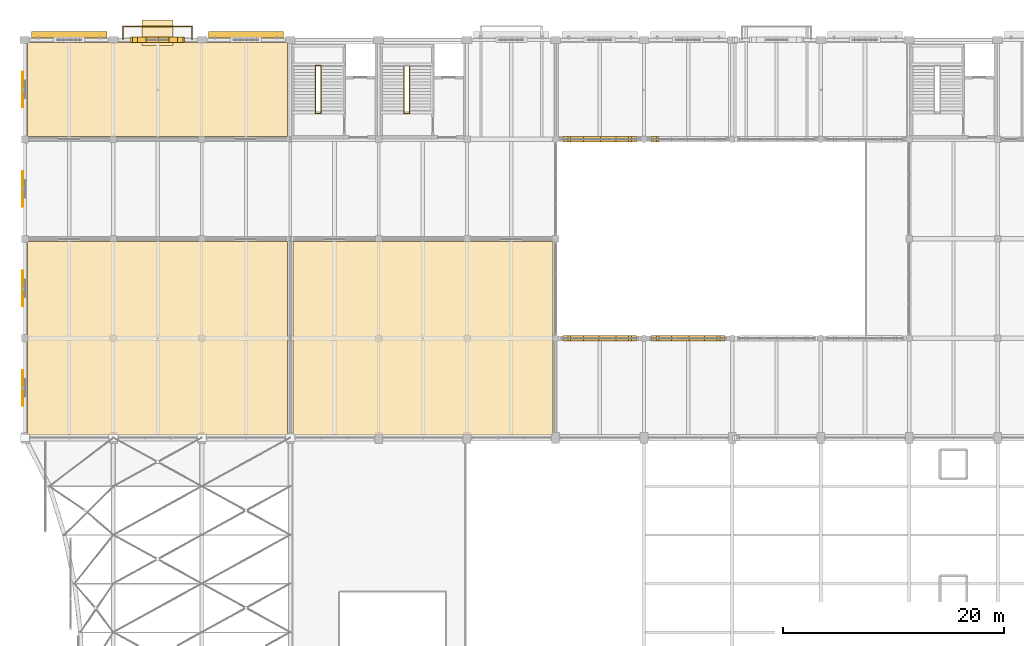
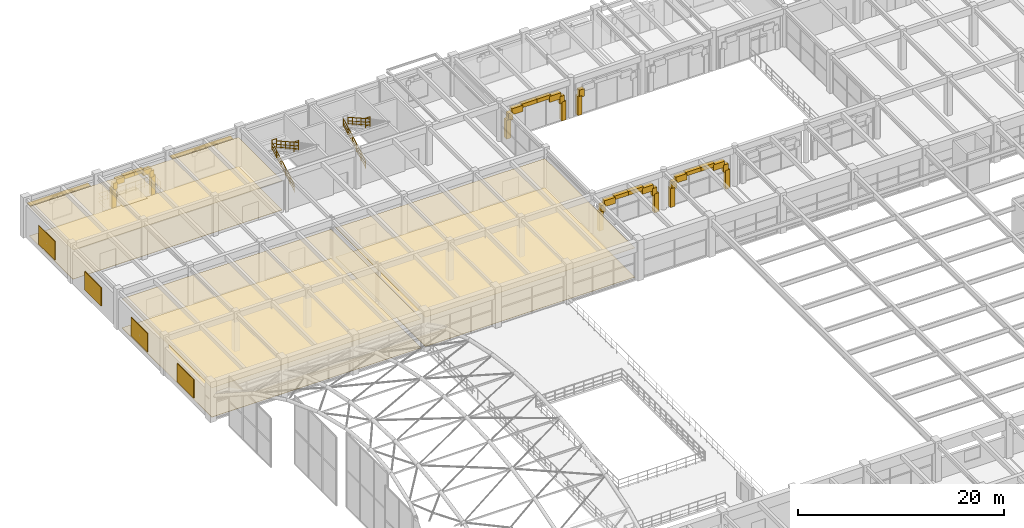
# One storey, part 138 of 144: 41 coverings, 8 railings, 6 shading devices.
"""IFC4 building model written with IfcOpenShell, lengths in metres."""

from ifc_helpers import new_model, si_unit, direction, frame, origin, origin_2d, place, context, subcontext, project, spatial, polyline, rectangle, circle, outline, extrude, material, layer, layer_set, type_object, element, save


model = new_model("IFC4")

# Units and contexts
model_context = context("Model", 3, precision=1e-05, world=origin(), true_north=direction((0.0, 1.0)))
body_context = subcontext(model_context, "Body", "Model", "MODEL_VIEW")
ifc_project = project(units=[si_unit("LENGTHUNIT", "METRE"), si_unit("AREAUNIT", "SQUARE_METRE"), si_unit("VOLUMEUNIT", "CUBIC_METRE"), si_unit("PLANEANGLEUNIT", "RADIAN"), si_unit("MASSUNIT", "GRAM", prefix="KILO")], contexts=[model_context])

# Site, building, storey
site_placement = place(None, origin())
site = spatial("IfcSite", under=ifc_project, at=site_placement, CompositionType="ELEMENT")
building_placement = place(site_placement, origin())
building = spatial("IfcBuilding", under=site, at=building_placement, Name="Varnabhumi Central Station", CompositionType="ELEMENT")
storey_placement = place(building_placement, frame((0.0, 0.0, 4.800048828125)))
storey = spatial("IfcBuildingStorey", under=building, at=storey_placement, Name="L01", CompositionType="ELEMENT", Elevation=4.800048828125)

# Coverings
ifc_material_1 = material(Name="Mineral-fibre acoustic tile")
ifc_layer_1 = layer(ifc_material_1, 0.02490234375, Name="Mineral-fibre acoustic tile")
ifc_layer_set_1 = layer_set([ifc_layer_1], Name="Mineral-fibre acoustic tile")
covering_type_1 = type_object("IfcCoveringType", Name="COV-CEIL-ACOUSTIC", PredefinedType="CEILING", material=ifc_layer_set_1)
covering_1_placement = place(storey_placement, frame((0.0, 0.0, 3.469970703125)))
element("IfcCovering", 1, at=covering_1_placement, inside=storey, type_object=covering_type_1, Name="Varnabhumi Grand Station Cafe Acoustic Ceiling", PredefinedType="CEILING", context=body_context, shape_type="SweptSolid", body=[
    extrude(outline(polyline([(0.25, 80.25), (23.75, 80.25), (23.75, 97.75), (0.25, 97.75), (0.25, 80.25)])), origin(), (0.0, 0.0, 1.0), 0.02490234375),
])
covering_2_placement = place(storey_placement, frame((0.0, 0.0, 3.469970703125)))
element("IfcCovering", 2, at=covering_2_placement, inside=storey, type_object=covering_type_1, Name="Station Cafe and Refreshment Kitchen Acoustic Ceiling", PredefinedType="CEILING", context=body_context, shape_type="SweptSolid", body=[
    extrude(outline(polyline([(0.25, 107.25), (23.75, 107.25), (23.75, 115.75), (0.25, 115.75), (0.25, 107.25)])), origin(), (0.0, 0.0, 1.0), 0.02490234375),
])
covering_3_placement = place(storey_placement, frame((0.0, 0.0, 3.469970703125)))
element("IfcCovering", 3, at=covering_3_placement, inside=storey, type_object=covering_type_1, Name="Passenger Refreshment Room Acoustic Ceiling", PredefinedType="CEILING", context=body_context, shape_type="SweptSolid", body=[
    extrude(outline(polyline([(24.25, 80.25), (47.75, 80.25), (47.75, 97.75), (24.25, 97.75), (24.25, 80.25)])), origin(), (0.0, 0.0, 1.0), 0.02490234375),
])
ifc_material_2 = material(Name="Vitrified granite stone flooring", Category="masonry")
ifc_layer_2 = layer(ifc_material_2, 0.030029296875, Name="Vitrified granite stone flooring", Category="masonry")
ifc_layer_set_2 = layer_set([ifc_layer_2], Name="Vitrified granite stone flooring")
covering_type_2 = type_object("IfcCoveringType", Name="COV-FLOR-GRANITE", PredefinedType="FLOORING", material=ifc_layer_set_2)
covering_4_placement = place(storey_placement, origin())
element("IfcCovering", 4, at=covering_4_placement, inside=storey, type_object=covering_type_2, Name="Varnabhumi Grand Station Cafe Granite Flooring", PredefinedType="FLOORING", context=body_context, shape_type="SweptSolid", body=[
    extrude(outline(polyline([(0.25, 80.25), (23.75, 80.25), (23.75, 97.75), (0.25, 97.75), (0.25, 80.25)])), origin(), (0.0, 0.0, 1.0), 0.030029296875),
])
covering_5_placement = place(storey_placement, origin())
element("IfcCovering", 5, at=covering_5_placement, inside=storey, type_object=covering_type_2, Name="Station Cafe and Refreshment Kitchen Granite Flooring", PredefinedType="FLOORING", context=body_context, shape_type="SweptSolid", body=[
    extrude(outline(polyline([(0.25, 107.25), (23.75, 107.25), (23.75, 115.75), (0.25, 115.75), (0.25, 107.25)])), origin(), (0.0, 0.0, 1.0), 0.030029296875),
])
covering_6_placement = place(storey_placement, origin())
element("IfcCovering", 6, at=covering_6_placement, inside=storey, type_object=covering_type_2, Name="Passenger Refreshment Room Granite Flooring", PredefinedType="FLOORING", context=body_context, shape_type="SweptSolid", body=[
    extrude(outline(polyline([(24.25, 80.25), (47.75, 80.25), (47.75, 97.75), (24.25, 97.75), (24.25, 80.25)])), origin(), (0.0, 0.0, 1.0), 0.030029296875),
])
ifc_material_3 = material(Name="Modified bitumen waterproofing membrane")
ifc_layer_3 = layer(ifc_material_3, 0.034912109375, Name="Modified bitumen waterproofing membrane")
ifc_layer_set_3 = layer_set([ifc_layer_3], Name="Modified bitumen waterproofing membrane")
covering_type_3 = type_object("IfcCoveringType", Name="COV-ROOF-MEMBRANE", PredefinedType="ROOFING", material=ifc_layer_set_3)
covering_7_placement = place(storey_placement, origin())
element("IfcCovering", 7, at=covering_7_placement, inside=storey, type_object=covering_type_3, Name="Azotea Waterproofing Paver Layer 6", PredefinedType="ROOFING", context=body_context, shape_type="SweptSolid", body=[
    extrude(outline(polyline([(10.60009765625, 117.800048828125), (13.39990234375, 117.800048828125), (13.39990234375, 115.5), (10.60009765625, 115.5), (10.60009765625, 117.800048828125)])), origin(), (0.0, 0.0, 1.0), 0.034912109375),
])
ifc_material_4 = material(Name="Terracotta clay Mission barrel tile", Category="masonry")
ifc_layer_4 = layer(ifc_material_4, 0.02001953125, Name="Terracotta clay Mission barrel tile", Category="masonry")
ifc_layer_set_4 = layer_set([ifc_layer_4], Name="Terracotta clay Mission barrel tile")
covering_type_4 = type_object("IfcCoveringType", Name="COV-WALL-FAIENCE", PredefinedType="CLADDING", material=ifc_layer_set_4)
covering_8_placement = place(storey_placement, frame((9.947509765625, 116.0, 2.159912109375), z_axis=(0.0, 0.0, 1.0), x_axis=(1.0, 0.0, 0.0)))
element("IfcCovering", 8, at=covering_8_placement, inside=storey, type_object=covering_type_4, Name="Balcony Arch Portal L01-2 Stone Voussoir 1", PredefinedType="CLADDING", context=body_context, shape_type="SweptSolid", body=[
    extrude(rectangle(XDim=0.469970703125, YDim=0.47998046875, at=origin_2d()), origin(), (0.0, 0.0, 1.0), 0.7548828125),
])
covering_9_placement = place(storey_placement, frame((10.49755859375, 116.0, 2.635009765625), z_axis=(0.0, 0.0, 1.0), x_axis=(1.0, 0.0, 0.0)))
element("IfcCovering", 9, at=covering_9_placement, inside=storey, type_object=covering_type_4, Name="Balcony Arch Portal L01-2 Stone Voussoir 2", PredefinedType="CLADDING", context=body_context, shape_type="SweptSolid", body=[
    extrude(rectangle(XDim=0.925048828125, YDim=0.47998046875, at=origin_2d()), origin(), (0.0, 0.0, 1.0), 0.6279296875),
])
for number, where, z_axis, x_axis, name in (
    (10, (11.449951171875, 116.0, 2.98291015625), (0.0, 0.0, 1.0), (1.0, 0.0, 0.0), "Balcony Arch Portal L01-2 Stone Voussoir 3"),
    (11, (12.550048828125, 116.0, 2.98291015625), (0.0, 0.0, 1.0), (1.0, 0.0, 0.0), "Balcony Arch Portal L01-2 Stone Voussoir 4"),
):
    element("IfcCovering", number, at=place(storey_placement, frame(where, z_axis=z_axis, x_axis=x_axis)), inside=storey, type_object=covering_type_4, Name=name, PredefinedType="CLADDING", context=body_context, shape_type="SweptSolid", body=[
        extrude(rectangle(XDim=1.219970703125, YDim=0.47998046875, at=origin_2d()), origin(), (0.0, 0.0, 1.0), 0.406982421875),
    ])
covering_10_placement = place(storey_placement, frame((13.50244140625, 116.0, 2.635009765625), z_axis=(0.0, 0.0, 1.0), x_axis=(1.0, 0.0, 0.0)))
element("IfcCovering", 12, at=covering_10_placement, inside=storey, type_object=covering_type_4, Name="Balcony Arch Portal L01-2 Stone Voussoir 5", PredefinedType="CLADDING", context=body_context, shape_type="SweptSolid", body=[
    extrude(rectangle(XDim=0.925048828125, YDim=0.47998046875, at=origin_2d()), origin(), (0.0, 0.0, 1.0), 0.6279296875),
])
covering_11_placement = place(storey_placement, frame((14.052490234375, 116.0, 2.159912109375), z_axis=(0.0, 0.0, 1.0), x_axis=(1.0, 0.0, 0.0)))
element("IfcCovering", 13, at=covering_11_placement, inside=storey, type_object=covering_type_4, Name="Balcony Arch Portal L01-2 Stone Voussoir 6", PredefinedType="CLADDING", context=body_context, shape_type="SweptSolid", body=[
    extrude(rectangle(XDim=0.469970703125, YDim=0.47998046875, at=origin_2d()), origin(), (0.0, 0.0, 1.0), 0.7548828125),
])
for number, where, z_axis, x_axis, name in (
    (14, (9.800048828125, 116.0, -0.02001953125), (0.0, 0.0, 1.0), (1.0, 0.0, 0.0), "Balcony Arch Portal L01-2 Classical Pilaster 1"),
    (15, (14.199951171875, 116.0, -0.02001953125), (0.0, 0.0, 1.0), (1.0, 0.0, 0.0), "Balcony Arch Portal L01-2 Classical Pilaster 2"),
):
    element("IfcCovering", number, at=place(storey_placement, frame(where, z_axis=z_axis, x_axis=x_axis)), inside=storey, type_object=covering_type_4, Name=name, PredefinedType="CLADDING", context=body_context, shape_type="SweptSolid", body=[
        extrude(rectangle(XDim=0.47998046875, YDim=0.47998046875, at=origin_2d()), origin(), (0.0, 0.0, 1.0), 2.340087890625),
    ])
covering_12_placement = place(storey_placement, frame((49.107421875, 89.0, 2.06005859375), z_axis=(0.0, 0.0, 1.0), x_axis=(1.0, 0.0, 0.0)))
element("IfcCovering", 16, at=covering_12_placement, inside=storey, type_object=covering_type_4, Name="North Patio Cloister Arch L01-S1 Stone Voussoir 1", PredefinedType="CLADDING", context=body_context, shape_type="SweptSolid", body=[
    extrude(rectangle(XDim=0.534912109375, YDim=0.47998046875, at=origin_2d()), origin(), (0.0, 0.0, 1.0), 0.8798828125),
])
covering_13_placement = place(storey_placement, frame((49.882568359375, 89.0, 2.66015625), z_axis=(0.0, 0.0, 1.0), x_axis=(1.0, 0.0, 0.0)))
element("IfcCovering", 17, at=covering_13_placement, inside=storey, type_object=covering_type_4, Name="North Patio Cloister Arch L01-S1 Stone Voussoir 2", PredefinedType="CLADDING", context=body_context, shape_type="SweptSolid", body=[
    extrude(rectangle(XDim=1.2548828125, YDim=0.47998046875, at=origin_2d()), origin(), (0.0, 0.0, 1.0), 0.718994140625),
])
for number, where, z_axis, x_axis, name in (
    (18, (51.22509765625, 89.0, 3.098876953125), (0.0, 0.0, 1.0), (1.0, 0.0, 0.0), "North Patio Cloister Arch L01-S1 Stone Voussoir 3"),
    (19, (52.77490234375, 89.0, 3.098876953125), (0.0, 0.0, 1.0), (1.0, 0.0, 0.0), "North Patio Cloister Arch L01-S1 Stone Voussoir 4"),
):
    element("IfcCovering", number, at=place(storey_placement, frame(where, z_axis=z_axis, x_axis=x_axis)), inside=storey, type_object=covering_type_4, Name=name, PredefinedType="CLADDING", context=body_context, shape_type="SweptSolid", body=[
        extrude(rectangle(XDim=1.669921875, YDim=0.47998046875, at=origin_2d()), origin(), (0.0, 0.0, 1.0), 0.44091796875),
    ])
covering_14_placement = place(storey_placement, frame((54.117431640625, 89.0, 2.66015625), z_axis=(0.0, 0.0, 1.0), x_axis=(1.0, 0.0, 0.0)))
element("IfcCovering", 20, at=covering_14_placement, inside=storey, type_object=covering_type_4, Name="North Patio Cloister Arch L01-S1 Stone Voussoir 5", PredefinedType="CLADDING", context=body_context, shape_type="SweptSolid", body=[
    extrude(rectangle(XDim=1.2548828125, YDim=0.47998046875, at=origin_2d()), origin(), (0.0, 0.0, 1.0), 0.718994140625),
])
covering_15_placement = place(storey_placement, frame((54.892578125, 89.0, 2.06005859375), z_axis=(0.0, 0.0, 1.0), x_axis=(1.0, 0.0, 0.0)))
element("IfcCovering", 21, at=covering_15_placement, inside=storey, type_object=covering_type_4, Name="North Patio Cloister Arch L01-S1 Stone Voussoir 6", PredefinedType="CLADDING", context=body_context, shape_type="SweptSolid", body=[
    extrude(rectangle(XDim=0.534912109375, YDim=0.47998046875, at=origin_2d()), origin(), (0.0, 0.0, 1.0), 0.8798828125),
])
for number, where, z_axis, x_axis, name in (
    (22, (48.89990234375, 89.0, -0.02001953125), (0.0, 0.0, 1.0), (1.0, 0.0, 0.0), "North Patio Cloister Arch L01-S1 Classical Pilaster 1"),
    (23, (55.10009765625, 89.0, -0.02001953125), (0.0, 0.0, 1.0), (1.0, 0.0, 0.0), "North Patio Cloister Arch L01-S1 Classical Pilaster 2"),
):
    element("IfcCovering", number, at=place(storey_placement, frame(where, z_axis=z_axis, x_axis=x_axis)), inside=storey, type_object=covering_type_4, Name=name, PredefinedType="CLADDING", context=body_context, shape_type="SweptSolid", body=[
        extrude(rectangle(XDim=0.47998046875, YDim=0.47998046875, at=origin_2d()), origin(), (0.0, 0.0, 1.0), 2.239990234375),
    ])
covering_16_placement = place(storey_placement, frame((49.107421875, 107.0, 2.06005859375), z_axis=(0.0, 0.0, 1.0), x_axis=(1.0, 0.0, 0.0)))
element("IfcCovering", 24, at=covering_16_placement, inside=storey, type_object=covering_type_4, Name="North Patio Cloister Arch L01-N1 Stone Voussoir 1", PredefinedType="CLADDING", context=body_context, shape_type="SweptSolid", body=[
    extrude(rectangle(XDim=0.534912109375, YDim=0.47998046875, at=origin_2d()), origin(), (0.0, 0.0, 1.0), 0.8798828125),
])
covering_17_placement = place(storey_placement, frame((49.882568359375, 107.0, 2.66015625), z_axis=(0.0, 0.0, 1.0), x_axis=(1.0, 0.0, 0.0)))
element("IfcCovering", 25, at=covering_17_placement, inside=storey, type_object=covering_type_4, Name="North Patio Cloister Arch L01-N1 Stone Voussoir 2", PredefinedType="CLADDING", context=body_context, shape_type="SweptSolid", body=[
    extrude(rectangle(XDim=1.2548828125, YDim=0.47998046875, at=origin_2d()), origin(), (0.0, 0.0, 1.0), 0.718994140625),
])
for number, where, z_axis, x_axis, name in (
    (26, (51.22509765625, 107.0, 3.098876953125), (0.0, 0.0, 1.0), (1.0, 0.0, 0.0), "North Patio Cloister Arch L01-N1 Stone Voussoir 3"),
    (27, (52.77490234375, 107.0, 3.098876953125), (0.0, 0.0, 1.0), (1.0, 0.0, 0.0), "North Patio Cloister Arch L01-N1 Stone Voussoir 4"),
):
    element("IfcCovering", number, at=place(storey_placement, frame(where, z_axis=z_axis, x_axis=x_axis)), inside=storey, type_object=covering_type_4, Name=name, PredefinedType="CLADDING", context=body_context, shape_type="SweptSolid", body=[
        extrude(rectangle(XDim=1.669921875, YDim=0.47998046875, at=origin_2d()), origin(), (0.0, 0.0, 1.0), 0.44091796875),
    ])
covering_18_placement = place(storey_placement, frame((54.117431640625, 107.0, 2.66015625), z_axis=(0.0, 0.0, 1.0), x_axis=(1.0, 0.0, 0.0)))
element("IfcCovering", 28, at=covering_18_placement, inside=storey, type_object=covering_type_4, Name="North Patio Cloister Arch L01-N1 Stone Voussoir 5", PredefinedType="CLADDING", context=body_context, shape_type="SweptSolid", body=[
    extrude(rectangle(XDim=1.2548828125, YDim=0.47998046875, at=origin_2d()), origin(), (0.0, 0.0, 1.0), 0.718994140625),
])
covering_19_placement = place(storey_placement, frame((54.892578125, 107.0, 2.06005859375), z_axis=(0.0, 0.0, 1.0), x_axis=(1.0, 0.0, 0.0)))
element("IfcCovering", 29, at=covering_19_placement, inside=storey, type_object=covering_type_4, Name="North Patio Cloister Arch L01-N1 Stone Voussoir 6", PredefinedType="CLADDING", context=body_context, shape_type="SweptSolid", body=[
    extrude(rectangle(XDim=0.534912109375, YDim=0.47998046875, at=origin_2d()), origin(), (0.0, 0.0, 1.0), 0.8798828125),
])
for number, where, z_axis, x_axis, name in (
    (30, (48.89990234375, 107.0, -0.02001953125), (0.0, 0.0, 1.0), (1.0, 0.0, 0.0), "North Patio Cloister Arch L01-N1 Classical Pilaster 1"),
    (31, (55.10009765625, 107.0, -0.02001953125), (0.0, 0.0, 1.0), (1.0, 0.0, 0.0), "North Patio Cloister Arch L01-N1 Classical Pilaster 2"),
):
    element("IfcCovering", number, at=place(storey_placement, frame(where, z_axis=z_axis, x_axis=x_axis)), inside=storey, type_object=covering_type_4, Name=name, PredefinedType="CLADDING", context=body_context, shape_type="SweptSolid", body=[
        extrude(rectangle(XDim=0.47998046875, YDim=0.47998046875, at=origin_2d()), origin(), (0.0, 0.0, 1.0), 2.239990234375),
    ])
covering_20_placement = place(storey_placement, frame((57.107421875, 89.0, 2.06005859375), z_axis=(0.0, 0.0, 1.0), x_axis=(1.0, 0.0, 0.0)))
element("IfcCovering", 32, at=covering_20_placement, inside=storey, type_object=covering_type_4, Name="North Patio Cloister Arch L01-S2 Stone Voussoir 1", PredefinedType="CLADDING", context=body_context, shape_type="SweptSolid", body=[
    extrude(rectangle(XDim=0.534912109375, YDim=0.47998046875, at=origin_2d()), origin(), (0.0, 0.0, 1.0), 0.8798828125),
])
covering_21_placement = place(storey_placement, frame((57.882568359375, 89.0, 2.66015625), z_axis=(0.0, 0.0, 1.0), x_axis=(1.0, 0.0, 0.0)))
element("IfcCovering", 33, at=covering_21_placement, inside=storey, type_object=covering_type_4, Name="North Patio Cloister Arch L01-S2 Stone Voussoir 2", PredefinedType="CLADDING", context=body_context, shape_type="SweptSolid", body=[
    extrude(rectangle(XDim=1.2548828125, YDim=0.47998046875, at=origin_2d()), origin(), (0.0, 0.0, 1.0), 0.718994140625),
])
for number, where, z_axis, x_axis, name in (
    (34, (59.22509765625, 89.0, 3.098876953125), (0.0, 0.0, 1.0), (1.0, 0.0, 0.0), "North Patio Cloister Arch L01-S2 Stone Voussoir 3"),
    (35, (60.77490234375, 89.0, 3.098876953125), (0.0, 0.0, 1.0), (1.0, 0.0, 0.0), "North Patio Cloister Arch L01-S2 Stone Voussoir 4"),
):
    element("IfcCovering", number, at=place(storey_placement, frame(where, z_axis=z_axis, x_axis=x_axis)), inside=storey, type_object=covering_type_4, Name=name, PredefinedType="CLADDING", context=body_context, shape_type="SweptSolid", body=[
        extrude(rectangle(XDim=1.669921875, YDim=0.47998046875, at=origin_2d()), origin(), (0.0, 0.0, 1.0), 0.44091796875),
    ])
covering_22_placement = place(storey_placement, frame((62.117431640625, 89.0, 2.66015625), z_axis=(0.0, 0.0, 1.0), x_axis=(1.0, 0.0, 0.0)))
element("IfcCovering", 36, at=covering_22_placement, inside=storey, type_object=covering_type_4, Name="North Patio Cloister Arch L01-S2 Stone Voussoir 5", PredefinedType="CLADDING", context=body_context, shape_type="SweptSolid", body=[
    extrude(rectangle(XDim=1.2548828125, YDim=0.47998046875, at=origin_2d()), origin(), (0.0, 0.0, 1.0), 0.718994140625),
])
covering_23_placement = place(storey_placement, frame((62.892578125, 89.0, 2.06005859375), z_axis=(0.0, 0.0, 1.0), x_axis=(1.0, 0.0, 0.0)))
element("IfcCovering", 37, at=covering_23_placement, inside=storey, type_object=covering_type_4, Name="North Patio Cloister Arch L01-S2 Stone Voussoir 6", PredefinedType="CLADDING", context=body_context, shape_type="SweptSolid", body=[
    extrude(rectangle(XDim=0.534912109375, YDim=0.47998046875, at=origin_2d()), origin(), (0.0, 0.0, 1.0), 0.8798828125),
])
for number, where, z_axis, x_axis, name in (
    (38, (56.89990234375, 89.0, -0.02001953125), (0.0, 0.0, 1.0), (1.0, 0.0, 0.0), "North Patio Cloister Arch L01-S2 Classical Pilaster 1"),
    (39, (63.10009765625, 89.0, -0.02001953125), (0.0, 0.0, 1.0), (1.0, 0.0, 0.0), "North Patio Cloister Arch L01-S2 Classical Pilaster 2"),
):
    element("IfcCovering", number, at=place(storey_placement, frame(where, z_axis=z_axis, x_axis=x_axis)), inside=storey, type_object=covering_type_4, Name=name, PredefinedType="CLADDING", context=body_context, shape_type="SweptSolid", body=[
        extrude(rectangle(XDim=0.47998046875, YDim=0.47998046875, at=origin_2d()), origin(), (0.0, 0.0, 1.0), 2.239990234375),
    ])
covering_24_placement = place(storey_placement, frame((57.107421875, 107.0, 2.06005859375), z_axis=(0.0, 0.0, 1.0), x_axis=(1.0, 0.0, 0.0)))
element("IfcCovering", 40, at=covering_24_placement, inside=storey, type_object=covering_type_4, Name="North Patio Cloister Arch L01-N2 Stone Voussoir 1", PredefinedType="CLADDING", context=body_context, shape_type="SweptSolid", body=[
    extrude(rectangle(XDim=0.534912109375, YDim=0.47998046875, at=origin_2d()), origin(), (0.0, 0.0, 1.0), 0.8798828125),
])
covering_25_placement = place(storey_placement, frame((56.89990234375, 107.0, -0.02001953125), z_axis=(0.0, 0.0, 1.0), x_axis=(1.0, 0.0, 0.0)))
element("IfcCovering", 41, at=covering_25_placement, inside=storey, type_object=covering_type_4, Name="North Patio Cloister Arch L01-N2 Classical Pilaster 1", PredefinedType="CLADDING", context=body_context, shape_type="SweptSolid", body=[
    extrude(rectangle(XDim=0.47998046875, YDim=0.47998046875, at=origin_2d()), origin(), (0.0, 0.0, 1.0), 2.239990234375),
])

# Railings
ifc_material_5 = material(Name="Stainless steel Grade 316", Category="steel")
railing_type_1 = type_object("IfcRailingType", Name="RAIL-BALUST-1150", PredefinedType="BALUSTRADE", material=ifc_material_5)
railing_1_placement = place(storey_placement, frame((8.8798828125, 116.050048828125, 0.0)))
element("IfcRailing", 42, at=railing_1_placement, inside=storey, type_object=railing_type_1, Name="Azotea Perimeter Balustrade L01-6", PredefinedType="BALUSTRADE", context=body_context, shape_type="SweptSolid", body=[
    extrude(circle(Radius=0.02392578125, at=origin_2d()), frame((0.0, 0.0, 1.1259765625), z_axis=(0.0, 1.0, 0.0), x_axis=(-1.0, 0.0, 0.0)), (0.0, 0.0, 1.0), 1.169921875),
    extrude(circle(Radius=0.01416015625, at=origin_2d()), frame((0.0, 0.0, 0.597900390625), z_axis=(0.0, 1.0, 0.0), x_axis=(-1.0, 0.0, 0.0)), (0.0, 0.0, 1.0), 1.169921875),
    extrude(circle(Radius=0.01416015625, at=origin_2d()), frame((0.0, 0.0, 0.18408203125), z_axis=(0.0, 1.0, 0.0), x_axis=(-1.0, 0.0, 0.0)), (0.0, 0.0, 1.0), 1.169921875),
    extrude(circle(Radius=0.02392578125, at=origin_2d()), frame((0.0, 1.169921875, 1.1259765625), z_axis=(1.0, 0.0, 0.0), x_axis=(0.0, 1.0, 0.0)), (0.0, 0.0, 1.0), 6.240234375),
    extrude(circle(Radius=0.01416015625, at=origin_2d()), frame((0.0, 1.169921875, 0.597900390625), z_axis=(1.0, 0.0, 0.0), x_axis=(0.0, 1.0, 0.0)), (0.0, 0.0, 1.0), 6.240234375),
    extrude(circle(Radius=0.01416015625, at=origin_2d()), frame((0.0, 1.169921875, 0.18408203125), z_axis=(1.0, 0.0, 0.0), x_axis=(0.0, 1.0, 0.0)), (0.0, 0.0, 1.0), 6.240234375),
    extrude(circle(Radius=0.02392578125, at=origin_2d()), frame((6.240234375, 1.169921875, 1.1259765625), z_axis=(0.0, -1.0, 0.0), x_axis=(1.0, 0.0, 0.0)), (0.0, 0.0, 1.0), 1.169921875),
    extrude(circle(Radius=0.01416015625, at=origin_2d()), frame((6.240234375, 1.169921875, 0.597900390625), z_axis=(0.0, -1.0, 0.0), x_axis=(1.0, 0.0, 0.0)), (0.0, 0.0, 1.0), 1.169921875),
    extrude(circle(Radius=0.01416015625, at=origin_2d()), frame((6.240234375, 1.169921875, 0.18408203125), z_axis=(0.0, -1.0, 0.0), x_axis=(1.0, 0.0, 0.0)), (0.0, 0.0, 1.0), 1.169921875),
    extrude(circle(Radius=0.02099609375, at=origin_2d()), origin(), (0.0, 0.0, 1.0), 1.101806640625),
    extrude(circle(Radius=0.02099609375, at=origin_2d()), frame((0.0, 0.5849609375, 0.0)), (0.0, 0.0, 1.0), 1.101806640625),
    extrude(circle(Radius=0.02099609375, at=origin_2d()), frame((0.0, 1.169921875, 0.0)), (0.0, 0.0, 1.0), 1.101806640625),
    extrude(circle(Radius=0.02099609375, at=origin_2d()), frame((1.0400390625, 1.169921875, 0.0)), (0.0, 0.0, 1.0), 1.101806640625),
    extrude(circle(Radius=0.02099609375, at=origin_2d()), frame((2.080078125, 1.169921875, 0.0)), (0.0, 0.0, 1.0), 1.101806640625),
    extrude(circle(Radius=0.02099609375, at=origin_2d()), frame((3.1201171875, 1.169921875, 0.0)), (0.0, 0.0, 1.0), 1.101806640625),
    extrude(circle(Radius=0.02099609375, at=origin_2d()), frame((4.16015625, 1.169921875, 0.0)), (0.0, 0.0, 1.0), 1.101806640625),
    extrude(circle(Radius=0.02099609375, at=origin_2d()), frame((5.2001953125, 1.169921875, 0.0)), (0.0, 0.0, 1.0), 1.101806640625),
    extrude(circle(Radius=0.02099609375, at=origin_2d()), frame((6.240234375, 1.169921875, 0.0)), (0.0, 0.0, 1.0), 1.101806640625),
    extrude(circle(Radius=0.02099609375, at=origin_2d()), frame((6.240234375, 0.5849609375, 0.0)), (0.0, 0.0, 1.0), 1.101806640625),
    extrude(circle(Radius=0.02099609375, at=origin_2d()), frame((6.240234375, 0.0, 0.0)), (0.0, 0.0, 1.0), 1.101806640625),
])
railing_type_2 = type_object("IfcRailingType", Name="RAIL-STAIR-GRD-1150", PredefinedType="GUARDRAIL", material=ifc_material_5)
for number, where, name in (
    (43, (26.300048828125, 113.675048828125, 2.39990234375), "ST-N1 L01 Half-Landing Well Guard"),
    (44, (26.300048828125, 109.360107421875, 4.800048828125), "ST-N1 L01 Arrival Slot Guard"),
    (45, (34.300048828125, 109.360107421875, 4.800048828125), "ST-N4 L01 Arrival Slot Guard"),
):
    element("IfcRailing", number, at=place(storey_placement, frame(where)), inside=storey, type_object=railing_type_2, Name=name, PredefinedType="GUARDRAIL", context=body_context, shape_type="SweptSolid", body=[
        extrude(circle(Radius=0.02392578125, at=origin_2d()), frame((0.0, 0.0, 1.1259765625), z_axis=(1.0, 0.0, 0.0), x_axis=(0.0, 1.0, 0.0)), (0.0, 0.0, 1.0), 0.5),
        extrude(circle(Radius=0.01416015625, at=origin_2d()), frame((0.0, 0.0, 0.597900390625), z_axis=(1.0, 0.0, 0.0), x_axis=(0.0, 1.0, 0.0)), (0.0, 0.0, 1.0), 0.5),
        extrude(circle(Radius=0.01416015625, at=origin_2d()), frame((0.0, 0.0, 0.18408203125), z_axis=(1.0, 0.0, 0.0), x_axis=(0.0, 1.0, 0.0)), (0.0, 0.0, 1.0), 0.5),
        extrude(circle(Radius=0.02099609375, at=origin_2d()), origin(), (0.0, 0.0, 1.0), 1.101806640625),
        extrude(circle(Radius=0.02099609375, at=origin_2d()), frame((0.5, 0.0, 0.0)), (0.0, 0.0, 1.0), 1.101806640625),
    ])
railing_type_3 = type_object("IfcRailingType", Name="RAIL-STAIR-HR-920", PredefinedType="HANDRAIL", material=ifc_material_5)
railing_2_placement = place(storey_placement, frame((26.300048828125, 109.340087890625, 0.0)))
element("IfcRailing", 46, at=railing_2_placement, inside=storey, type_object=railing_type_3, Name="ST-N1 L01 Flight 1 Handrail", PredefinedType="HANDRAIL", context=body_context, shape_type="SweptSolid", body=[
    extrude(circle(Radius=0.02392578125, at=origin_2d()), frame((0.0, 0.0, 0.89599609375), z_axis=(0.0, 0.871987514779, 0.489528113665), x_axis=(-1.0, 0.0, 0.0)), (0.0, 0.0, 1.0), 4.902587890625),
    extrude(circle(Radius=0.01416015625, at=origin_2d()), frame((0.0, 0.0, 0.478271484375), z_axis=(0.0, 0.871987514779, 0.489528113665), x_axis=(-1.0, 0.0, 0.0)), (0.0, 0.0, 1.0), 4.902587890625),
    extrude(circle(Radius=0.01416015625, at=origin_2d()), frame((0.0, 0.0, 0.147216796875), z_axis=(0.0, 0.871987514779, 0.489528113665), x_axis=(-1.0, 0.0, 0.0)), (0.0, 0.0, 1.0), 4.902587890625),
    extrude(circle(Radius=0.02099609375, at=origin_2d()), origin(), (0.0, 0.0, 1.0), 0.871826171875),
    extrude(circle(Radius=0.02099609375, at=origin_2d()), frame((0.0, 0.85498046875, 0.47998046875)), (0.0, 0.0, 1.0), 0.871826171875),
    extrude(circle(Radius=0.02099609375, at=origin_2d()), frame((0.0, 1.7099609375, 0.9599609375)), (0.0, 0.0, 1.0), 0.871826171875),
    extrude(circle(Radius=0.02099609375, at=origin_2d()), frame((0.0, 2.56494140625, 1.43994140625)), (0.0, 0.0, 1.0), 0.871826171875),
    extrude(circle(Radius=0.02099609375, at=origin_2d()), frame((0.0, 3.419921875, 1.919921875)), (0.0, 0.0, 1.0), 0.871826171875),
    extrude(circle(Radius=0.02099609375, at=origin_2d()), frame((0.0, 4.27490234375, 2.39990234375)), (0.0, 0.0, 1.0), 0.871826171875),
])
railing_3_placement = place(storey_placement, frame((26.800048828125, 113.614990234375, 2.39990234375)))
element("IfcRailing", 47, at=railing_3_placement, inside=storey, type_object=railing_type_3, Name="ST-N1 L01 Flight 2 Handrail", PredefinedType="HANDRAIL", context=body_context, shape_type="SweptSolid", body=[
    extrude(circle(Radius=0.02392578125, at=origin_2d()), frame((0.0, 0.0, 0.89599609375), z_axis=(0.0, -0.871966256983, 0.489565977864), x_axis=(1.0, 0.0, 0.0)), (0.0, 0.0, 1.0), 4.902587890625),
    extrude(circle(Radius=0.01416015625, at=origin_2d()), frame((0.0, 0.0, 0.478271484375), z_axis=(0.0, -0.871966256983, 0.489565977864), x_axis=(1.0, 0.0, 0.0)), (0.0, 0.0, 1.0), 4.902587890625),
    extrude(circle(Radius=0.01416015625, at=origin_2d()), frame((0.0, 0.0, 0.147216796875), z_axis=(0.0, -0.871966256983, 0.489565977864), x_axis=(1.0, 0.0, 0.0)), (0.0, 0.0, 1.0), 4.902587890625),
    extrude(circle(Radius=0.02099609375, at=origin_2d()), origin(), (0.0, 0.0, 1.0), 0.871826171875),
    extrude(circle(Radius=0.02099609375, at=origin_2d()), frame((0.0, -0.85498046875, 0.47998046875)), (0.0, 0.0, 1.0), 0.871826171875),
    extrude(circle(Radius=0.02099609375, at=origin_2d()), frame((0.0, -1.7099609375, 0.9599609375)), (0.0, 0.0, 1.0), 0.871826171875),
    extrude(circle(Radius=0.02099609375, at=origin_2d()), frame((0.0, -2.56494140625, 1.440185546875)), (0.0, 0.0, 1.0), 0.871826171875),
    extrude(circle(Radius=0.02099609375, at=origin_2d()), frame((0.0, -3.419921875, 1.920166015625)), (0.0, 0.0, 1.0), 0.871826171875),
    extrude(circle(Radius=0.02099609375, at=origin_2d()), frame((0.0, -4.27490234375, 2.400146484375)), (0.0, 0.0, 1.0), 0.871826171875),
])
railing_4_placement = place(storey_placement, frame((34.300048828125, 109.340087890625, 0.0)))
element("IfcRailing", 48, at=railing_4_placement, inside=storey, type_object=railing_type_3, Name="ST-N4 L01 Flight 1 Handrail", PredefinedType="HANDRAIL", context=body_context, shape_type="SweptSolid", body=[
    extrude(circle(Radius=0.02392578125, at=origin_2d()), frame((0.0, 0.0, 0.89599609375), z_axis=(0.0, 0.871987514779, 0.489528113665), x_axis=(-1.0, 0.0, 0.0)), (0.0, 0.0, 1.0), 4.902587890625),
    extrude(circle(Radius=0.01416015625, at=origin_2d()), frame((0.0, 0.0, 0.478271484375), z_axis=(0.0, 0.871987514779, 0.489528113665), x_axis=(-1.0, 0.0, 0.0)), (0.0, 0.0, 1.0), 4.902587890625),
    extrude(circle(Radius=0.01416015625, at=origin_2d()), frame((0.0, 0.0, 0.147216796875), z_axis=(0.0, 0.871987514779, 0.489528113665), x_axis=(-1.0, 0.0, 0.0)), (0.0, 0.0, 1.0), 4.902587890625),
    extrude(circle(Radius=0.02099609375, at=origin_2d()), origin(), (0.0, 0.0, 1.0), 0.871826171875),
    extrude(circle(Radius=0.02099609375, at=origin_2d()), frame((0.0, 0.85498046875, 0.47998046875)), (0.0, 0.0, 1.0), 0.871826171875),
    extrude(circle(Radius=0.02099609375, at=origin_2d()), frame((0.0, 1.7099609375, 0.9599609375)), (0.0, 0.0, 1.0), 0.871826171875),
    extrude(circle(Radius=0.02099609375, at=origin_2d()), frame((0.0, 2.56494140625, 1.43994140625)), (0.0, 0.0, 1.0), 0.871826171875),
    extrude(circle(Radius=0.02099609375, at=origin_2d()), frame((0.0, 3.419921875, 1.919921875)), (0.0, 0.0, 1.0), 0.871826171875),
    extrude(circle(Radius=0.02099609375, at=origin_2d()), frame((0.0, 4.27490234375, 2.39990234375)), (0.0, 0.0, 1.0), 0.871826171875),
])
railing_5_placement = place(storey_placement, frame((34.800048828125, 113.614990234375, 2.39990234375)))
element("IfcRailing", 49, at=railing_5_placement, inside=storey, type_object=railing_type_3, Name="ST-N4 L01 Flight 2 Handrail", PredefinedType="HANDRAIL", context=body_context, shape_type="SweptSolid", body=[
    extrude(circle(Radius=0.02392578125, at=origin_2d()), frame((0.0, 0.0, 0.89599609375), z_axis=(0.0, -0.871966256983, 0.489565977864), x_axis=(1.0, 0.0, 0.0)), (0.0, 0.0, 1.0), 4.902587890625),
    extrude(circle(Radius=0.01416015625, at=origin_2d()), frame((0.0, 0.0, 0.478271484375), z_axis=(0.0, -0.871966256983, 0.489565977864), x_axis=(1.0, 0.0, 0.0)), (0.0, 0.0, 1.0), 4.902587890625),
    extrude(circle(Radius=0.01416015625, at=origin_2d()), frame((0.0, 0.0, 0.147216796875), z_axis=(0.0, -0.871966256983, 0.489565977864), x_axis=(1.0, 0.0, 0.0)), (0.0, 0.0, 1.0), 4.902587890625),
    extrude(circle(Radius=0.02099609375, at=origin_2d()), origin(), (0.0, 0.0, 1.0), 0.871826171875),
    extrude(circle(Radius=0.02099609375, at=origin_2d()), frame((0.0, -0.85498046875, 0.47998046875)), (0.0, 0.0, 1.0), 0.871826171875),
    extrude(circle(Radius=0.02099609375, at=origin_2d()), frame((0.0, -1.7099609375, 0.9599609375)), (0.0, 0.0, 1.0), 0.871826171875),
    extrude(circle(Radius=0.02099609375, at=origin_2d()), frame((0.0, -2.56494140625, 1.440185546875)), (0.0, 0.0, 1.0), 0.871826171875),
    extrude(circle(Radius=0.02099609375, at=origin_2d()), frame((0.0, -3.419921875, 1.920166015625)), (0.0, 0.0, 1.0), 0.871826171875),
    extrude(circle(Radius=0.02099609375, at=origin_2d()), frame((0.0, -4.27490234375, 2.400146484375)), (0.0, 0.0, 1.0), 0.871826171875),
])

# Shading devices
ifc_layer_5 = layer(ifc_material_4, 0.080078125, Name="Terracotta clay Mission barrel tile", Category="masonry")
ifc_layer_set_5 = layer_set([ifc_layer_5], Name="Terracotta clay Mission barrel tile")
shading_device_type_1 = type_object("IfcShadingDeviceType", Name="SHD-CELOSIA-JALI", PredefinedType="JALOUSIE", material=ifc_layer_set_5)
for number, where, z_axis, x_axis, name in (
    (50, (-0.2099609375, 84.5, 0.85009765625), (0.0, 0.0, 1.0), (1.0, 0.0, 0.0), "Terracotta Celosia Screen N-L01-E1"),
    (51, (-0.2099609375, 93.5, 0.85009765625), (0.0, 0.0, 1.0), (1.0, 0.0, 0.0), "Terracotta Celosia Screen N-L01-E2"),
    (52, (-0.2099609375, 102.5, 0.85009765625), (0.0, 0.0, 1.0), (1.0, 0.0, 0.0), "Terracotta Celosia Screen N-L01-E3"),
    (53, (-0.2099609375, 111.5, 0.85009765625), (0.0, 0.0, 1.0), (1.0, 0.0, 0.0), "Terracotta Celosia Screen N-L01-E4"),
):
    element("IfcShadingDevice", number, at=place(storey_placement, frame(where, z_axis=z_axis, x_axis=x_axis)), inside=storey, type_object=shading_device_type_1, Name=name, PredefinedType="JALOUSIE", context=body_context, shape_type="SweptSolid", body=[
        extrude(rectangle(XDim=0.080078125, YDim=3.199951171875, at=origin_2d()), origin(), (0.0, 0.0, 1.0), 2.199951171875),
    ])
ifc_material_6 = material(Name="Precast concrete M45", Category="concrete")
ifc_layer_6 = layer(ifc_material_6, 0.10009765625, Name="Precast concrete M45", Category="concrete")
ifc_layer_set_6 = layer_set([ifc_layer_6], Name="Precast concrete M45")
shading_device_type_2 = type_object("IfcShadingDeviceType", Name="SHD-CHAJJA-600", PredefinedType="AWNING", material=ifc_layer_set_6)
for number, where, z_axis, x_axis, name in (
    (54, (4.0, 116.449951171875, 3.1298828125), (0.0, 0.0, 1.0), (1.0, 0.0, 0.0), "Chajja Overhang N-L01-1"),
    (55, (20.0, 116.449951171875, 3.1298828125), (0.0, 0.0, 1.0), (1.0, 0.0, 0.0), "Chajja Overhang N-L01-3"),
):
    element("IfcShadingDevice", number, at=place(storey_placement, frame(where, z_axis=z_axis, x_axis=x_axis)), inside=storey, type_object=shading_device_type_2, Name=name, PredefinedType="AWNING", context=body_context, shape_type="SweptSolid", body=[
        extrude(rectangle(XDim=6.800048828125, YDim=0.60009765625, at=origin_2d()), origin(), (0.0, 0.0, 1.0), 0.10009765625),
    ])

save(model, "model.ifc")
